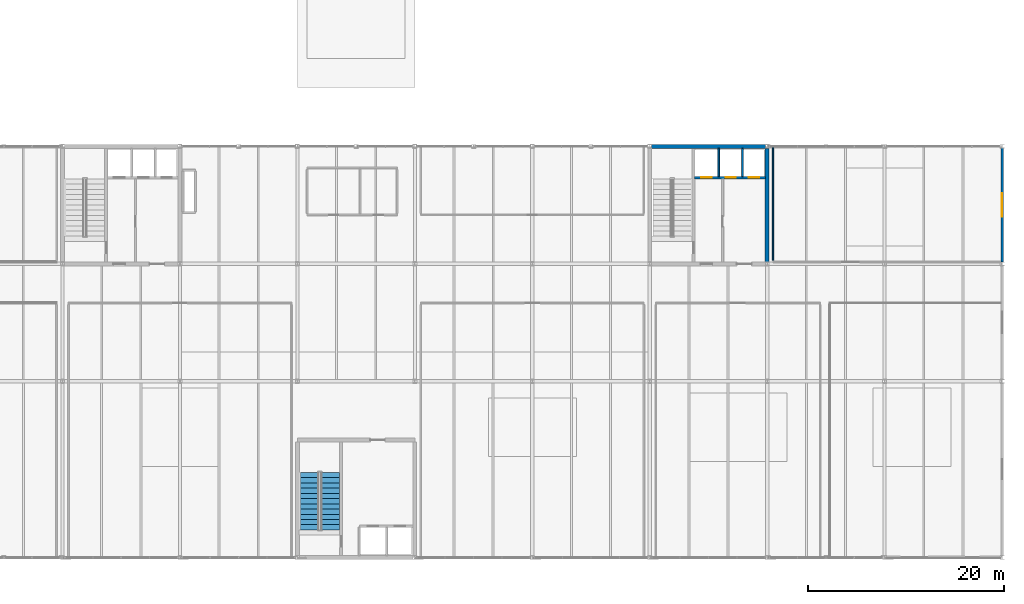
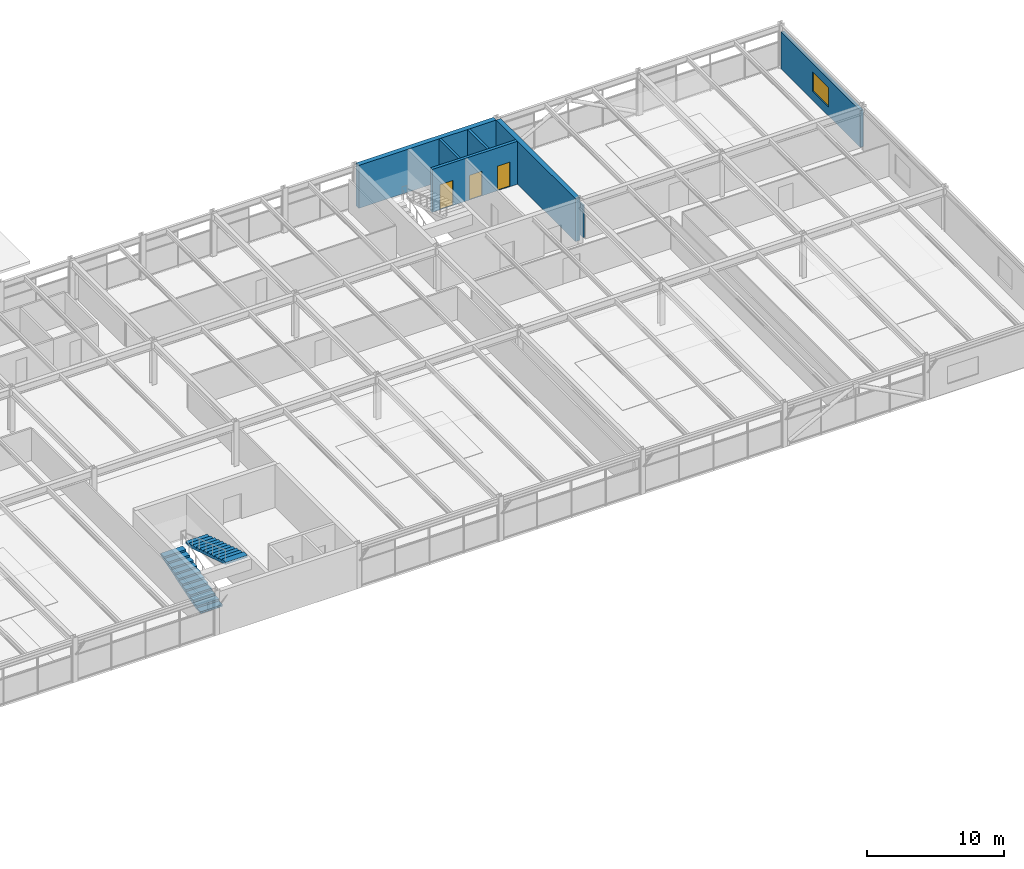
# One storey, part 43 of 49: 7 walls, 3 doors, 2 stair flights, 1 window, 4 openings, 1 element without a shape of its own.
"""IFC4 building model written with IfcOpenShell, lengths in metres."""

from ifc_helpers import new_model, si_unit, direction, frame, frame_2d, origin, place, context, subcontext, project, spatial, polyline, rectangle, outline, extrude, material, layer, layer_set, type_object, element, fill, aggregate, save


model = new_model("IFC4")

# Units and contexts
model_context = context("Model", 3, precision=1e-05, world=origin(), true_north=direction((0.0, 1.0)))
body_context = subcontext(model_context, "Body", "Model", "MODEL_VIEW")
ifc_project = project(units=[si_unit("LENGTHUNIT", "METRE"), si_unit("AREAUNIT", "SQUARE_METRE"), si_unit("VOLUMEUNIT", "CUBIC_METRE"), si_unit("PLANEANGLEUNIT", "RADIAN"), si_unit("MASSUNIT", "GRAM", prefix="KILO")], contexts=[model_context])

# Site, building, storey
site_placement = place(None, origin())
site = spatial("IfcSite", under=ifc_project, at=site_placement, CompositionType="ELEMENT")
building_placement = place(site_placement, origin())
building = spatial("IfcBuilding", under=site, at=building_placement, Name="Girod Span Mobility Hub", CompositionType="ELEMENT")
storey_placement = place(building_placement, frame((0.0, 0.0, 37.60009765625)))
storey = spatial("IfcBuildingStorey", under=building, at=storey_placement, Name="L09", CompositionType="ELEMENT", Elevation=37.60009765625)

# Walls
ifc_material_1 = material(Name="Concrete C40/50", Category="concrete")
ifc_layer_1 = layer(ifc_material_1, 0.39990234375)
ifc_layer_set_1 = layer_set([ifc_layer_1], Name="Concrete C40/50")
wall_type_1 = type_object("IfcWallType", Name="W-CW-400", PredefinedType="SHEAR", material=ifc_layer_set_1)
wall_1_placement = place(storey_placement, frame((108.196533203125, 69.0, 0.0), z_axis=(0.0, 0.0, 1.0), x_axis=(1.0, 0.0, 0.0)))
element("IfcWall", 1, at=wall_1_placement, inside=storey, type_object=wall_type_1, Name="Core C2 Shear Wall N L09", PredefinedType="SHEAR", context=body_context, shape_type="SweptSolid", body=[
    extrude(rectangle(XDim=11.60693359375, YDim=0.39990234375, at=frame_2d((5.803466796875, 0.0))), origin(), (0.0, 0.0, 1.0), 3.837890625),
])
wall_2_placement = place(storey_placement, frame((120.0, 57.193603515625, 0.0), z_axis=(0.0, 0.0, 1.0), x_axis=(0.0, 1.0, 0.0)))
element("IfcWall", 2, at=wall_2_placement, inside=storey, type_object=wall_type_1, Name="Core C2 Shear Wall E L09", PredefinedType="SHEAR", context=body_context, shape_type="SweptSolid", body=[
    extrude(rectangle(XDim=11.61279296875, YDim=0.39990234375, at=frame_2d((5.806396484375, 0.0))), origin(), (0.0, 0.0, 1.0), 3.837890625),
])

# Wall, opening, window
ifc_material_2 = material(Name="Precast Architectural Concrete C40/50", Category="concrete")
ifc_layer_2 = layer(ifc_material_2, 0.27001953125)
ifc_layer_set_2 = layer_set([ifc_layer_2], Name="Precast Architectural Concrete C40/50")
wall_type_2 = type_object("IfcWallType", Name="W-EXT-270", PredefinedType="SOLIDWALL", material=ifc_layer_set_2)
wall_3_placement = place(storey_placement, frame((144.0, 57.185546875, 0.0), z_axis=(0.0, 0.0, 1.0), x_axis=(0.0, 1.0, 0.0)))
wall_3 = element("IfcWall", 3, at=wall_3_placement, inside=storey, type_object=wall_type_2, Name="End Facade Insulated Wall E-E L09", PredefinedType="SOLIDWALL", context=body_context, shape_type="SweptSolid", body=[
    extrude(rectangle(XDim=11.62890625, YDim=0.27001953125, at=frame_2d((5.814453125, 0.0))), origin(), (0.0, 0.0, 1.0), 3.291015625),
])
opening_1_placement = place(wall_3_placement, frame((4.614013671875, 0.0, 0.780029296875)))
opening_1 = element("IfcOpeningElement", 4, at=opening_1_placement, cuts=wall_3, Name="Opening W-L09-E4", PredefinedType="OPENING", context=body_context, shape_type="SweptSolid", body=[
    extrude(rectangle(XDim=2.39990234375, YDim=1.739990234375, at=frame_2d((1.199951171875, 0.8701171875))), frame((0.0, 0.14990234375, 0.0), z_axis=(0.0, -1.0, 0.0), x_axis=(1.0, 0.0, 0.0)), (0.0, 0.0, 1.0), 0.300048828125),
])
ifc_material_3 = material(Name="Double Low-E Insulated Glazing", Category="glass")
window_type = type_object("IfcWindowType", Name="WN-37", PartitioningType="DOUBLE_PANEL_VERTICAL", PredefinedType="WINDOW", material=ifc_material_3)
window_placement = place(opening_1_placement, origin())
window = element("IfcWindow", 5, at=window_placement, inside=storey, type_object=window_type, Name="End Office Window WN-37", OverallHeight=1.739990234375, OverallWidth=2.39990234375, PartitioningType="DOUBLE_PANEL_VERTICAL", PredefinedType="WINDOW", context=body_context, shape_type="SweptSolid", body=[
    extrude(rectangle(XDim=2.39990234375, YDim=1.739990234375, at=frame_2d((1.199951171875, 0.8701171875))), frame((0.0, 0.030029296875, 0.0), z_axis=(0.0, -1.0, 0.0), x_axis=(1.0, 0.0, 0.0)), (0.0, 0.0, 1.0), 0.06005859375),
])
fill(opening_1, window)

# Walls
ifc_material_4 = material(Name="Fire-Rated Gypsum Board on Metal Studs", Category="gypsum")
ifc_layer_3 = layer(ifc_material_4, 0.125)
ifc_layer_set_3 = layer_set([ifc_layer_3], Name="Fire-Rated Gypsum Board on Metal Studs")
wall_type_3 = type_object("IfcWallType", Name="W-PT-125", PredefinedType="PARTITIONING", material=ifc_layer_set_3)
wall_4_placement = place(storey_placement, frame((120.60009765625, 57.360107421875, 0.0), z_axis=(0.0, 0.0, 1.0), x_axis=(0.0, 1.0, 0.0)))
element("IfcWall", 6, at=wall_4_placement, inside=storey, type_object=wall_type_3, Name="Engineering Studio East L09 Partition W", PredefinedType="PARTITIONING", context=body_context, shape_type="SweptSolid", body=[
    extrude(rectangle(XDim=11.5, YDim=0.125, at=frame_2d((5.75, 0.0))), origin(), (0.0, 0.0, 1.0), 2.8798828125),
])
ifc_material_5 = material(Name="Concrete C40/50", Category="concrete")
ifc_layer_4 = layer(ifc_material_5, 0.199951171875)
ifc_layer_set_4 = layer_set([ifc_layer_4], Name="Concrete C40/50")
wall_type_4 = type_object("IfcWallType", Name="W-SH-200", PredefinedType="SOLIDWALL", material=ifc_layer_set_4)
for number, where, z_axis, x_axis, name in (
    (7, (115.050048828125, 65.919921875, 0.0), (0.0, 0.0, 1.0), (0.0, 1.0, 0.0), "Core C2 Shaft Divider 1 L09"),
    (8, (117.47998046875, 65.919921875, 0.0), (0.0, 0.0, 1.0), (0.0, 1.0, 0.0), "Core C2 Shaft Divider 2 L09"),
):
    element("IfcWall", number, at=place(storey_placement, frame(where, z_axis=z_axis, x_axis=x_axis)), inside=storey, type_object=wall_type_4, Name=name, PredefinedType="SOLIDWALL", context=body_context, shape_type="SweptSolid", body=[
        extrude(rectangle(XDim=2.880126953125, YDim=0.199951171875, at=frame_2d((1.43994140625, 0.0))), origin(), (0.0, 0.0, 1.0), 3.827880859375),
    ])

# Wall, openings, doors
ifc_material_6 = material(Name="Concrete C40/50", Category="concrete")
ifc_layer_5 = layer(ifc_material_6, 0.25)
ifc_layer_set_5 = layer_set([ifc_layer_5], Name="Concrete C40/50")
wall_type_5 = type_object("IfcWallType", Name="W-SH-250", PredefinedType="SOLIDWALL", material=ifc_layer_set_5)
wall_5_placement = place(storey_placement, frame((112.596923828125, 65.800048828125, 0.0), z_axis=(0.0, 0.0, 1.0), x_axis=(1.0, 0.0, 0.0)))
wall_5 = element("IfcWall", 9, at=wall_5_placement, inside=storey, type_object=wall_type_5, Name="Core C2 Hoistway Front Wall L09", PredefinedType="SOLIDWALL", context=body_context, shape_type="SweptSolid", body=[
    extrude(rectangle(XDim=7.2060546875, YDim=0.25, at=frame_2d((3.60302734375, 0.0))), origin(), (0.0, 0.0, 1.0), 3.837890625),
])
opening_2_placement = place(wall_5_placement, frame((0.653076171875, 0.0, 0.0)))
opening_2 = element("IfcOpeningElement", 10, at=opening_2_placement, cuts=wall_5, Name="Opening LD-FL-2-L09", PredefinedType="OPENING", context=body_context, shape_type="SweptSolid", body=[
    extrude(rectangle(XDim=1.10009765625, YDim=2.239990234375, at=frame_2d((0.550048828125, 1.1201171875))), frame((0.0, 0.139892578125, 0.0), z_axis=(0.0, -1.0, 0.0), x_axis=(1.0, 0.0, 0.0)), (0.0, 0.0, 1.0), 0.280029296875),
])
opening_3_placement = place(wall_5_placement, frame((3.153076171875, 0.0, 0.0)))
opening_3 = element("IfcOpeningElement", 11, at=opening_3_placement, cuts=wall_5, Name="Opening LD-LP-3-L09", PredefinedType="OPENING", context=body_context, shape_type="SweptSolid", body=[
    extrude(rectangle(XDim=1.050048828125, YDim=2.199951171875, at=frame_2d((0.52490234375, 1.10009765625))), frame((0.0, 0.139892578125, 0.0), z_axis=(0.0, -1.0, 0.0), x_axis=(1.0, 0.0, 0.0)), (0.0, 0.0, 1.0), 0.280029296875),
])
opening_4_placement = place(wall_5_placement, frame((5.528076171875, 0.0, 0.0)))
opening_4 = element("IfcOpeningElement", 12, at=opening_4_placement, cuts=wall_5, Name="Opening LD-LP-4-L09", PredefinedType="OPENING", context=body_context, shape_type="SweptSolid", body=[
    extrude(rectangle(XDim=1.050048828125, YDim=2.199951171875, at=frame_2d((0.52490234375, 1.10009765625))), frame((0.0, 0.139892578125, 0.0), z_axis=(0.0, -1.0, 0.0), x_axis=(1.0, 0.0, 0.0)), (0.0, 0.0, 1.0), 0.280029296875),
])
ifc_material_7 = material(Name="Brushed Stainless Steel Grade 304", Category="steel")
door_type_1 = type_object("IfcDoorType", Name="LD-FL-110", OperationType="SLIDING_TO_LEFT", PredefinedType="USERDEFINED", material=ifc_material_7)
door_1_placement = place(opening_2_placement, origin())
door_1 = element("IfcDoor", 13, at=door_1_placement, inside=storey, type_object=door_type_1, Name="Lift FL-2 Sliding Landing Door L09", ObjectType="LANDING DOOR", OperationType="SLIDING_TO_LEFT", OverallHeight=2.239990234375, OverallWidth=1.10009765625, PredefinedType="USERDEFINED", context=body_context, shape_type="SweptSolid", body=[
    extrude(rectangle(XDim=1.10009765625, YDim=2.239990234375, at=frame_2d((0.550048828125, 1.1201171875))), frame((0.0, 0.02490234375, 0.0), z_axis=(0.0, -1.0, 0.0), x_axis=(1.0, 0.0, 0.0)), (0.0, 0.0, 1.0), 0.050048828125),
])
fill(opening_2, door_1)
ifc_material_8 = material(Name="Brushed Stainless Steel Grade 304", Category="steel")
door_type_2 = type_object("IfcDoorType", Name="LD-LP-105", OperationType="SLIDING_TO_LEFT", PredefinedType="USERDEFINED", material=ifc_material_8)
door_2_placement = place(opening_3_placement, origin())
door_2 = element("IfcDoor", 14, at=door_2_placement, inside=storey, type_object=door_type_2, Name="Lift LP-3 Sliding Landing Door L09", ObjectType="LANDING DOOR", OperationType="SLIDING_TO_LEFT", OverallHeight=2.199951171875, OverallWidth=1.050048828125, PredefinedType="USERDEFINED", context=body_context, shape_type="SweptSolid", body=[
    extrude(rectangle(XDim=1.050048828125, YDim=2.199951171875, at=frame_2d((0.52490234375, 1.10009765625))), frame((0.0, 0.02490234375, 0.0), z_axis=(0.0, -1.0, 0.0), x_axis=(1.0, 0.0, 0.0)), (0.0, 0.0, 1.0), 0.050048828125),
])
fill(opening_3, door_2)
door_3_placement = place(opening_4_placement, origin())
door_3 = element("IfcDoor", 15, at=door_3_placement, inside=storey, type_object=door_type_2, Name="Lift LP-4 Sliding Landing Door L09", ObjectType="LANDING DOOR", OperationType="SLIDING_TO_LEFT", OverallHeight=2.199951171875, OverallWidth=1.050048828125, PredefinedType="USERDEFINED", context=body_context, shape_type="SweptSolid", body=[
    extrude(rectangle(XDim=1.050048828125, YDim=2.199951171875, at=frame_2d((0.52490234375, 1.10009765625))), frame((0.0, 0.02490234375, 0.0), z_axis=(0.0, -1.0, 0.0), x_axis=(1.0, 0.0, 0.0)), (0.0, 0.0, 1.0), 0.050048828125),
])
fill(opening_4, door_3)

# Stair, stair flights
ifc_material_9 = material(Name="Concrete C40/50", Category="concrete")
stair_type = type_object("IfcStairType", Name="STR-4000-W1860", PredefinedType="HALF_TURN_STAIR", material=ifc_material_9)
stair_placement = place(storey_placement, origin())
stair = element("IfcStair", 16, at=stair_placement, inside=storey, type_object=stair_type, Name="Exit Stair ST-3 L09", PredefinedType="HALF_TURN_STAIR")
ifc_material_10 = material(Name="Concrete C40/50", Category="concrete")
stair_flight_type = type_object("IfcStairFlightType", Name="STF-2000-W1860", PredefinedType="STRAIGHT", material=ifc_material_10)
stair_flight_1_placement = place(storey_placement, frame((73.25, 29.81005859375, 0.0), z_axis=(0.0, 0.0, 1.0), x_axis=(0.0, 1.0, 0.0)))
stair_flight_1 = element("IfcStairFlight", 17, at=stair_flight_1_placement, type_object=stair_flight_type, Name="Stair ST-3 Flight 1 L09", NumberOfRisers=12, NumberOfTreads=11, PredefinedType="STRAIGHT", RiserHeight=0.16667, TreadLength=0.53455, context=body_context, shape_type="SweptSolid", body=[
    extrude(outline(polyline([(0.0, 0.0), (0.0, 0.166748046875), (0.53466796875, 0.166748046875), (0.53466796875, 0.333251953125), (1.069091796875, 0.333251953125), (1.069091796875, 0.5), (1.603759765625, 0.5), (1.603759765625, 0.666748046875), (2.13818359375, 0.666748046875), (2.13818359375, 0.833251953125), (2.6728515625, 0.833251953125), (2.6728515625, 1.0), (3.207275390625, 1.0), (3.207275390625, 1.166748046875), (3.741943359375, 1.166748046875), (3.741943359375, 1.333251953125), (4.2763671875, 1.333251953125), (4.2763671875, 1.5), (4.81103515625, 1.5), (4.81103515625, 1.666748046875), (5.345458984375, 1.666748046875), (5.345458984375, 1.833251953125), (5.880126953125, 1.833251953125), (5.880126953125, 2.0), (5.880126953125, 1.634521484375), (0.63818359375, 0.0), (0.0, 0.0)])), frame((0.0, 0.93017578125, 0.0), z_axis=(0.0, -1.0, 0.0), x_axis=(1.0, 0.0, 0.0)), (0.0, 0.0, 1.0), 1.860107421875),
])
stair_flight_2_placement = place(storey_placement, frame((75.35009765625, 35.68994140625, 2.0), z_axis=(0.0, 0.0, 1.0), x_axis=(0.0, -1.0, 0.0)))
stair_flight_2 = element("IfcStairFlight", 18, at=stair_flight_2_placement, type_object=stair_flight_type, Name="Stair ST-3 Flight 2 L09", NumberOfRisers=12, NumberOfTreads=11, PredefinedType="STRAIGHT", RiserHeight=0.16667, TreadLength=0.53455, context=body_context, shape_type="SweptSolid", body=[
    extrude(outline(polyline([(0.0, 0.0), (0.0, 0.166748046875), (0.53466796875, 0.166748046875), (0.53466796875, 0.333251953125), (1.069091796875, 0.333251953125), (1.069091796875, 0.5), (1.603759765625, 0.5), (1.603759765625, 0.666748046875), (2.13818359375, 0.666748046875), (2.13818359375, 0.833251953125), (2.6728515625, 0.833251953125), (2.6728515625, 1.0), (3.207275390625, 1.0), (3.207275390625, 1.166748046875), (3.741943359375, 1.166748046875), (3.741943359375, 1.333251953125), (4.2763671875, 1.333251953125), (4.2763671875, 1.5), (4.81103515625, 1.5), (4.81103515625, 1.666748046875), (5.345458984375, 1.666748046875), (5.345458984375, 1.833251953125), (5.880126953125, 1.833251953125), (5.880126953125, 2.0), (5.880126953125, 1.634521484375), (0.63818359375, 0.0), (0.0, 0.0)])), frame((0.0, 0.93017578125, 0.0), z_axis=(0.0, -1.0, 0.0), x_axis=(1.0, 0.0, 0.0)), (0.0, 0.0, 1.0), 1.860107421875),
])
aggregate(stair, [stair_flight_1, stair_flight_2])

save(model, "model.ifc")
